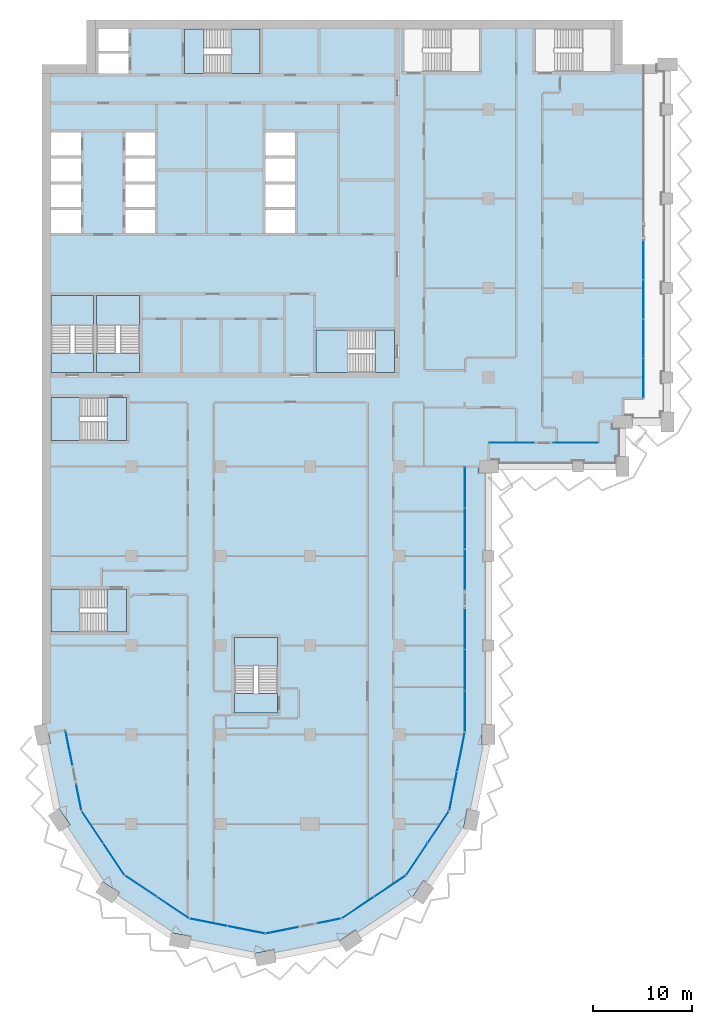
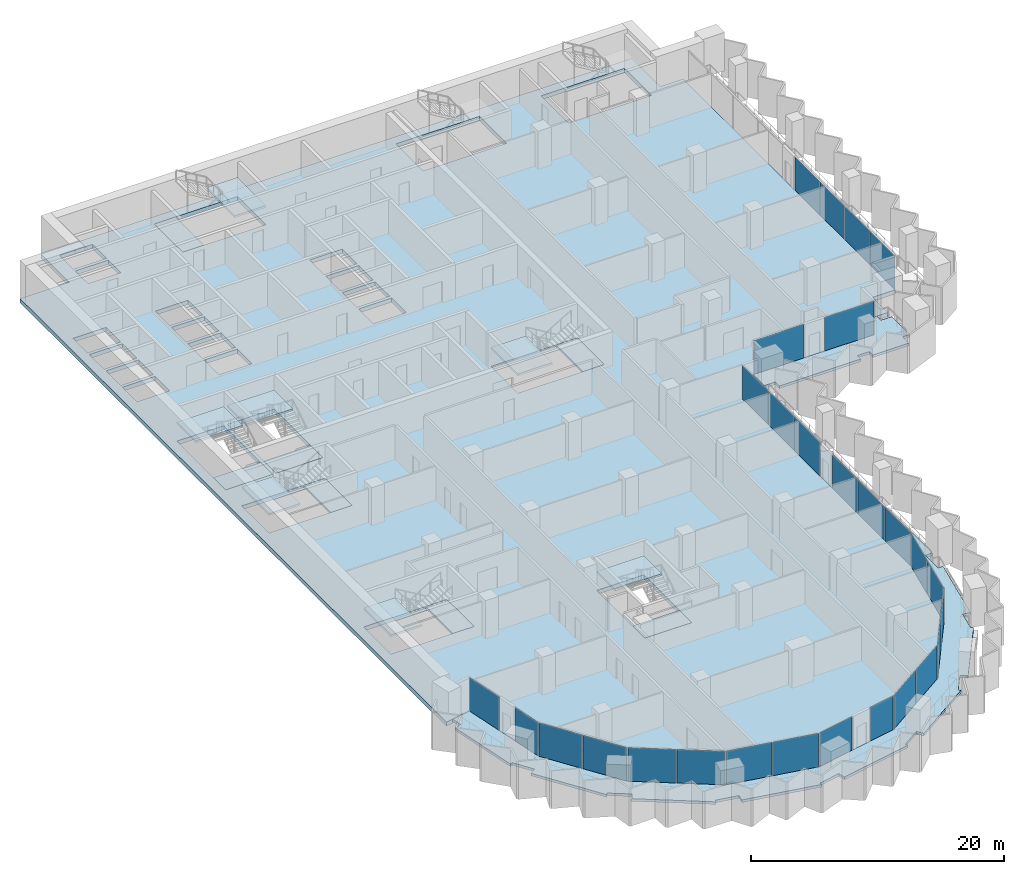
# One storey, part 6 of 22: 28 plates, 17 slabs, 22 elements without a shape of their own.
"""IFC4 building model written with IfcOpenShell, lengths in metres."""

from ifc_helpers import new_model, si_unit, direction, frame, origin, origin_2d, place, context, subcontext, project, spatial, polyline, rectangle, outline, extrude, material, layer, layer_set, type_object, element, aggregate, save


model = new_model("IFC4")

# Units and contexts
model_context = context("Model", 3, precision=1e-05, world=origin(), true_north=direction((0.0, 1.0)))
body_context = subcontext(model_context, "Body", "Model", "MODEL_VIEW")
ifc_project = project(units=[si_unit("LENGTHUNIT", "METRE"), si_unit("AREAUNIT", "SQUARE_METRE"), si_unit("VOLUMEUNIT", "CUBIC_METRE"), si_unit("PLANEANGLEUNIT", "RADIAN"), si_unit("MASSUNIT", "GRAM", prefix="KILO")], contexts=[model_context])

# Site, building, storey
site_placement = place(None, origin())
site = spatial("IfcSite", under=ifc_project, at=site_placement, CompositionType="ELEMENT")
building_placement = place(site_placement, origin())
building = spatial("IfcBuilding", under=site, at=building_placement, Name="Hunhe Ridgeline Campus", CompositionType="ELEMENT")
storey_placement = place(building_placement, frame((0.0, 0.0, 141.199951171875)))
storey = spatial("IfcBuildingStorey", under=building, at=storey_placement, Name="L35", CompositionType="ELEMENT", Elevation=141.199951171875)

# Curtain wall, plate
ifc_material_1 = material(Name="Aluminium 6063", Category="aluminium")
curtain_wall_type_1 = type_object("IfcCurtainWallType", Name="Curtain wall CW-5", PredefinedType="NOTDEFINED", material=ifc_material_1)
curtain_wall_1_placement = place(storey_placement, origin())
curtain_wall_1 = element("IfcCurtainWall", 1, at=curtain_wall_1_placement, inside=storey, type_object=curtain_wall_type_1, Name="Curtain wall 01", PredefinedType="NOTDEFINED")
ifc_material_2 = material(Name="Low-e laminated glass", Category="glass")
ifc_layer_1 = layer(ifc_material_2, 0.028076171875)
ifc_layer_set_1 = layer_set([ifc_layer_1], Name="Curtain wall glass panel 28 low-e laminated")
plate_type = type_object("IfcPlateType", Name="Curtain wall glass panel 28 low-e laminated", PredefinedType="CURTAIN_PANEL", material=ifc_layer_set_1)
plate_1_placement = place(storey_placement, frame((2.7158203125, 25.65380859375, 0.0), z_axis=(0.0, 0.0, 1.0), x_axis=(0.195095326561, -0.980784284924, 0.0)))
plate_1 = element("IfcPlate", 2, at=plate_1_placement, type_object=plate_type, Name="CW-5 panel 1", PredefinedType="CURTAIN_PANEL", context=body_context, shape_type="SweptSolid", body=[
    extrude(rectangle(XDim=3.560791015625, YDim=0.028076171875, at=origin_2d()), origin(), (0.0, 0.0, 1.0), 3.22998046875),
])
aggregate(curtain_wall_1, [plate_1])

curtain_wall_2_placement = place(storey_placement, origin())
curtain_wall_2 = element("IfcCurtainWall", 3, at=curtain_wall_2_placement, inside=storey, type_object=curtain_wall_type_1, Name="Curtain wall 02", PredefinedType="NOTDEFINED")
plate_2_placement = place(storey_placement, frame((3.701171875, 20.699951171875, 0.0), z_axis=(0.0, 0.0, 1.0), x_axis=(0.195095265587, -0.980784297053, 0.0)))
plate_2 = element("IfcPlate", 4, at=plate_2_placement, type_object=plate_type, Name="CW-5 panel 1", PredefinedType="CURTAIN_PANEL", context=body_context, shape_type="SweptSolid", body=[
    extrude(rectangle(XDim=2.660888671875, YDim=0.028076171875, at=origin_2d()), origin(), (0.0, 0.0, 1.0), 3.22998046875),
])
aggregate(curtain_wall_2, [plate_2])

# Curtain wall, plates
curtain_wall_3_placement = place(storey_placement, origin())
curtain_wall_3 = element("IfcCurtainWall", 5, at=curtain_wall_3_placement, inside=storey, type_object=curtain_wall_type_1, Name="Curtain wall 03", PredefinedType="NOTDEFINED")
plate_3_placement = place(storey_placement, frame((5.07080078125, 17.685546875, 0.0), z_axis=(0.0, 0.0, 1.0), x_axis=(0.555570274596, -0.831469584522, 0.0)))
plate_3 = element("IfcPlate", 6, at=plate_3_placement, type_object=plate_type, Name="CW-5 panel 1", PredefinedType="CURTAIN_PANEL", context=body_context, shape_type="SweptSolid", body=[
    extrude(rectangle(XDim=3.806884765625, YDim=0.028076171875, at=origin_2d()), origin(), (0.0, 0.0, 1.0), 3.22998046875),
])
plate_4_placement = place(storey_placement, frame((7.224609375, 14.4619140625, 0.0), z_axis=(0.0, 0.0, 1.0), x_axis=(0.555570274596, -0.831469584522, 0.0)))
plate_4 = element("IfcPlate", 7, at=plate_4_placement, type_object=plate_type, Name="CW-5 panel 2", PredefinedType="CURTAIN_PANEL", context=body_context, shape_type="SweptSolid", body=[
    extrude(rectangle(XDim=3.806884765625, YDim=0.028076171875, at=origin_2d()), origin(), (0.0, 0.0, 1.0), 3.22998046875),
])
aggregate(curtain_wall_3, [plate_3, plate_4])

curtain_wall_4_placement = place(storey_placement, origin())
curtain_wall_4 = element("IfcCurtainWall", 8, at=curtain_wall_4_placement, inside=storey, type_object=curtain_wall_type_1, Name="Curtain wall 04", PredefinedType="NOTDEFINED")
plate_5_placement = place(storey_placement, frame((9.9619140625, 11.724609375, 0.0), z_axis=(0.0, 0.0, 1.0), x_axis=(0.831469584522, -0.555570274596, 0.0)))
plate_5 = element("IfcPlate", 9, at=plate_5_placement, type_object=plate_type, Name="CW-5 panel 1", PredefinedType="CURTAIN_PANEL", context=body_context, shape_type="SweptSolid", body=[
    extrude(rectangle(XDim=3.806884765625, YDim=0.028076171875, at=origin_2d()), origin(), (0.0, 0.0, 1.0), 3.22998046875),
])
plate_6_placement = place(storey_placement, frame((13.185546875, 9.57080078125, 0.0), z_axis=(0.0, 0.0, 1.0), x_axis=(0.831469584522, -0.555570274596, 0.0)))
plate_6 = element("IfcPlate", 10, at=plate_6_placement, type_object=plate_type, Name="CW-5 panel 2", PredefinedType="CURTAIN_PANEL", context=body_context, shape_type="SweptSolid", body=[
    extrude(rectangle(XDim=3.806884765625, YDim=0.028076171875, at=origin_2d()), origin(), (0.0, 0.0, 1.0), 3.22998046875),
])
aggregate(curtain_wall_4, [plate_5, plate_6])

curtain_wall_5_placement = place(storey_placement, origin())
curtain_wall_5 = element("IfcCurtainWall", 11, at=curtain_wall_5_placement, inside=storey, type_object=curtain_wall_type_1, Name="Curtain wall 05", PredefinedType="NOTDEFINED")
plate_7_placement = place(storey_placement, frame((16.761962890625, 8.08935546875, 0.0), z_axis=(0.0, 0.0, 1.0), x_axis=(0.980785275326, -0.195090347539, 0.0)))
plate_7 = element("IfcPlate", 12, at=plate_7_placement, type_object=plate_type, Name="CW-5 panel 1", PredefinedType="CURTAIN_PANEL", context=body_context, shape_type="SweptSolid", body=[
    extrude(rectangle(XDim=3.806884765625, YDim=0.028076171875, at=origin_2d()), origin(), (0.0, 0.0, 1.0), 3.22998046875),
])
plate_8_placement = place(storey_placement, frame((20.564453125, 7.3330078125, 0.0), z_axis=(0.0, 0.0, 1.0), x_axis=(0.980785275326, -0.195090347539, 0.0)))
plate_8 = element("IfcPlate", 13, at=plate_8_placement, type_object=plate_type, Name="CW-5 panel 2", PredefinedType="CURTAIN_PANEL", context=body_context, shape_type="SweptSolid", body=[
    extrude(rectangle(XDim=3.806884765625, YDim=0.028076171875, at=origin_2d()), origin(), (0.0, 0.0, 1.0), 3.22998046875),
])
aggregate(curtain_wall_5, [plate_7, plate_8])

# Curtain wall, plate
curtain_wall_6_placement = place(storey_placement, origin())
curtain_wall_6 = element("IfcCurtainWall", 14, at=curtain_wall_6_placement, inside=storey, type_object=curtain_wall_type_1, Name="Curtain wall 06", PredefinedType="NOTDEFINED")
plate_9_placement = place(storey_placement, frame((24.19775390625, 7.28564453125, 0.0), z_axis=(0.0, 0.0, 1.0), x_axis=(0.980785270791, 0.19509037034, 0.0)))
plate_9 = element("IfcPlate", 15, at=plate_9_placement, type_object=plate_type, Name="CW-5 panel 1", PredefinedType="CURTAIN_PANEL", context=body_context, shape_type="SweptSolid", body=[
    extrude(rectangle(XDim=3.322021484375, YDim=0.028076171875, at=origin_2d()), origin(), (0.0, 0.0, 1.0), 3.22998046875),
])
aggregate(curtain_wall_6, [plate_9])

curtain_wall_7_placement = place(storey_placement, origin())
curtain_wall_7 = element("IfcCurtainWall", 16, at=curtain_wall_7_placement, inside=storey, type_object=curtain_wall_type_1, Name="Curtain wall 07", PredefinedType="NOTDEFINED")
plate_10_placement = place(storey_placement, frame((28.917236328125, 8.224609375, 0.0), z_axis=(0.0, 0.0, 1.0), x_axis=(0.980785242091, 0.195090514627, 0.0)))
plate_10 = element("IfcPlate", 17, at=plate_10_placement, type_object=plate_type, Name="CW-5 panel 1", PredefinedType="CURTAIN_PANEL", context=body_context, shape_type="SweptSolid", body=[
    extrude(rectangle(XDim=2.421875, YDim=0.028076171875, at=origin_2d()), origin(), (0.0, 0.0, 1.0), 3.22998046875),
])
aggregate(curtain_wall_7, [plate_10])

# Curtain wall, plates
curtain_wall_8_placement = place(storey_placement, origin())
curtain_wall_8 = element("IfcCurtainWall", 18, at=curtain_wall_8_placement, inside=storey, type_object=curtain_wall_type_1, Name="Curtain wall 08", PredefinedType="NOTDEFINED")
plate_11_placement = place(storey_placement, frame((31.814453125, 9.57080078125, 0.0), z_axis=(0.0, 0.0, 1.0), x_axis=(0.831469584522, 0.555570274596, 0.0)))
plate_11 = element("IfcPlate", 19, at=plate_11_placement, type_object=plate_type, Name="CW-5 panel 1", PredefinedType="CURTAIN_PANEL", context=body_context, shape_type="SweptSolid", body=[
    extrude(rectangle(XDim=3.806884765625, YDim=0.028076171875, at=origin_2d()), origin(), (0.0, 0.0, 1.0), 3.22998046875),
])
plate_12_placement = place(storey_placement, frame((35.0380859375, 11.724609375, 0.0), z_axis=(0.0, 0.0, 1.0), x_axis=(0.831469584522, 0.555570274596, 0.0)))
plate_12 = element("IfcPlate", 20, at=plate_12_placement, type_object=plate_type, Name="CW-5 panel 2", PredefinedType="CURTAIN_PANEL", context=body_context, shape_type="SweptSolid", body=[
    extrude(rectangle(XDim=3.806884765625, YDim=0.028076171875, at=origin_2d()), origin(), (0.0, 0.0, 1.0), 3.22998046875),
])
aggregate(curtain_wall_8, [plate_11, plate_12])

curtain_wall_9_placement = place(storey_placement, origin())
curtain_wall_9 = element("IfcCurtainWall", 21, at=curtain_wall_9_placement, inside=storey, type_object=curtain_wall_type_1, Name="Curtain wall 09", PredefinedType="NOTDEFINED")
plate_13_placement = place(storey_placement, frame((37.775390625, 14.4619140625, 0.0), z_axis=(0.0, 0.0, 1.0), x_axis=(0.555570274596, 0.831469584522, 0.0)))
plate_13 = element("IfcPlate", 22, at=plate_13_placement, type_object=plate_type, Name="CW-5 panel 1", PredefinedType="CURTAIN_PANEL", context=body_context, shape_type="SweptSolid", body=[
    extrude(rectangle(XDim=3.806884765625, YDim=0.028076171875, at=origin_2d()), origin(), (0.0, 0.0, 1.0), 3.22998046875),
])
plate_14_placement = place(storey_placement, frame((39.92919921875, 17.685546875, 0.0), z_axis=(0.0, 0.0, 1.0), x_axis=(0.555570274596, 0.831469584522, 0.0)))
plate_14 = element("IfcPlate", 23, at=plate_14_placement, type_object=plate_type, Name="CW-5 panel 2", PredefinedType="CURTAIN_PANEL", context=body_context, shape_type="SweptSolid", body=[
    extrude(rectangle(XDim=3.806884765625, YDim=0.028076171875, at=origin_2d()), origin(), (0.0, 0.0, 1.0), 3.22998046875),
])
aggregate(curtain_wall_9, [plate_13, plate_14])

curtain_wall_10_placement = place(storey_placement, origin())
curtain_wall_10 = element("IfcCurtainWall", 24, at=curtain_wall_10_placement, inside=storey, type_object=curtain_wall_type_1, Name="Curtain wall 10", PredefinedType="NOTDEFINED")
plate_15_placement = place(storey_placement, frame((41.42236328125, 21.321044921875, 0.0), z_axis=(0.0, 0.0, 1.0), x_axis=(0.195090299215, 0.980785284939, 0.0)))
plate_15 = element("IfcPlate", 25, at=plate_15_placement, type_object=plate_type, Name="CW-5 panel 1", PredefinedType="CURTAIN_PANEL", context=body_context, shape_type="SweptSolid", body=[
    extrude(rectangle(XDim=3.927490234375, YDim=0.028076171875, at=origin_2d()), origin(), (0.0, 0.0, 1.0), 3.22998046875),
])
plate_16_placement = place(storey_placement, frame((42.2021484375, 25.24169921875, 0.0), z_axis=(0.0, 0.0, 1.0), x_axis=(0.195090299215, 0.980785284939, 0.0)))
plate_16 = element("IfcPlate", 26, at=plate_16_placement, type_object=plate_type, Name="CW-5 panel 2", PredefinedType="CURTAIN_PANEL", context=body_context, shape_type="SweptSolid", body=[
    extrude(rectangle(XDim=3.927490234375, YDim=0.028076171875, at=origin_2d()), origin(), (0.0, 0.0, 1.0), 3.22998046875),
])
aggregate(curtain_wall_10, [plate_15, plate_16])

curtain_wall_type_2 = type_object("IfcCurtainWallType", Name="Curtain wall CW-1", PredefinedType="NOTDEFINED", material=ifc_material_1)
curtain_wall_11_placement = place(storey_placement, origin())
curtain_wall_11 = element("IfcCurtainWall", 27, at=curtain_wall_11_placement, inside=storey, type_object=curtain_wall_type_2, Name="Curtain wall 11", PredefinedType="NOTDEFINED")
plate_17_placement = place(storey_placement, frame((42.59912109375, 29.331787109375, 0.0), z_axis=(0.0, 0.0, 1.0), x_axis=(4.406345e-06, 0.99999999999, 0.0)))
plate_17 = element("IfcPlate", 28, at=plate_17_placement, type_object=plate_type, Name="CW-1 panel 1", PredefinedType="CURTAIN_PANEL", context=body_context, shape_type="SweptSolid", body=[
    extrude(rectangle(XDim=4.070556640625, YDim=0.028076171875, at=origin_2d()), origin(), (0.0, 0.0, 1.0), 3.239990234375),
])
plate_18_placement = place(storey_placement, frame((42.59912109375, 33.4775390625, 0.0), z_axis=(0.0, 0.0, 1.0), x_axis=(4.406345e-06, 0.99999999999, 0.0)))
plate_18 = element("IfcPlate", 29, at=plate_18_placement, type_object=plate_type, Name="CW-1 panel 2", PredefinedType="CURTAIN_PANEL", context=body_context, shape_type="SweptSolid", body=[
    extrude(rectangle(XDim=4.1005859375, YDim=0.028076171875, at=origin_2d()), origin(), (0.0, 0.0, 1.0), 3.239990234375),
])
plate_19_placement = place(storey_placement, frame((42.59912109375, 37.623046875, 0.0), z_axis=(0.0, 0.0, 1.0), x_axis=(4.406345e-06, 0.99999999999, 0.0)))
plate_19 = element("IfcPlate", 30, at=plate_19_placement, type_object=plate_type, Name="CW-1 panel 3", PredefinedType="CURTAIN_PANEL", context=body_context, shape_type="SweptSolid", body=[
    extrude(rectangle(XDim=4.070556640625, YDim=0.028076171875, at=origin_2d()), origin(), (0.0, 0.0, 1.0), 3.239990234375),
])
aggregate(curtain_wall_11, [plate_17, plate_18, plate_19])

curtain_wall_12_placement = place(storey_placement, origin())
curtain_wall_12 = element("IfcCurtainWall", 31, at=curtain_wall_12_placement, inside=storey, type_object=curtain_wall_type_2, Name="Curtain wall 12", PredefinedType="NOTDEFINED")
plate_20_placement = place(storey_placement, frame((42.59912109375, 43.61376953125, 0.0), z_axis=(0.0, 0.0, 1.0), x_axis=(4.406345e-06, 0.99999999999, 0.0)))
plate_20 = element("IfcPlate", 32, at=plate_20_placement, type_object=plate_type, Name="CW-1 panel 1", PredefinedType="CURTAIN_PANEL", context=body_context, shape_type="SweptSolid", body=[
    extrude(rectangle(XDim=4.070556640625, YDim=0.028076171875, at=origin_2d()), origin(), (0.0, 0.0, 1.0), 3.239990234375),
])
plate_21_placement = place(storey_placement, frame((42.59912109375, 47.759521484375, 0.0), z_axis=(0.0, 0.0, 1.0), x_axis=(4.406345e-06, 0.99999999999, 0.0)))
plate_21 = element("IfcPlate", 33, at=plate_21_placement, type_object=plate_type, Name="CW-1 panel 2", PredefinedType="CURTAIN_PANEL", context=body_context, shape_type="SweptSolid", body=[
    extrude(rectangle(XDim=4.1005859375, YDim=0.028076171875, at=origin_2d()), origin(), (0.0, 0.0, 1.0), 3.239990234375),
])
plate_22_placement = place(storey_placement, frame((42.59912109375, 51.905029296875, 0.0), z_axis=(0.0, 0.0, 1.0), x_axis=(4.406345e-06, 0.99999999999, 0.0)))
plate_22 = element("IfcPlate", 34, at=plate_22_placement, type_object=plate_type, Name="CW-1 panel 3", PredefinedType="CURTAIN_PANEL", context=body_context, shape_type="SweptSolid", body=[
    extrude(rectangle(XDim=4.070556640625, YDim=0.028076171875, at=origin_2d()), origin(), (0.0, 0.0, 1.0), 3.239990234375),
])
aggregate(curtain_wall_12, [plate_20, plate_21, plate_22])

# Curtain wall, plate
curtain_wall_13_placement = place(storey_placement, origin())
curtain_wall_13 = element("IfcCurtainWall", 35, at=curtain_wall_13_placement, inside=storey, type_object=curtain_wall_type_2, Name="Curtain wall 13", PredefinedType="NOTDEFINED")
plate_23_placement = place(storey_placement, frame((47.32470703125, 56.40087890625, 0.0), z_axis=(0.0, 0.0, 1.0), x_axis=(0.999999999999, 1.72058e-06, 0.0)))
plate_23 = element("IfcPlate", 36, at=plate_23_placement, type_object=plate_type, Name="CW-1 panel 1", PredefinedType="CURTAIN_PANEL", context=body_context, shape_type="SweptSolid", body=[
    extrude(rectangle(XDim=4.529541015625, YDim=0.028076171875, at=origin_2d()), origin(), (0.0, 0.0, 1.0), 3.239990234375),
])
aggregate(curtain_wall_13, [plate_23])

curtain_wall_14_placement = place(storey_placement, origin())
curtain_wall_14 = element("IfcCurtainWall", 37, at=curtain_wall_14_placement, inside=storey, type_object=curtain_wall_type_2, Name="Curtain wall 14", PredefinedType="NOTDEFINED")
plate_24_placement = place(storey_placement, frame((53.774169921875, 56.40087890625, 0.0), z_axis=(0.0, 0.0, 1.0), x_axis=(0.999999999999, 1.72058e-06, 0.0)))
plate_24 = element("IfcPlate", 38, at=plate_24_placement, type_object=plate_type, Name="CW-1 panel 1", PredefinedType="CURTAIN_PANEL", context=body_context, shape_type="SweptSolid", body=[
    extrude(rectangle(XDim=4.529541015625, YDim=0.028076171875, at=origin_2d()), origin(), (0.0, 0.0, 1.0), 3.239990234375),
])
aggregate(curtain_wall_14, [plate_24])

# Curtain wall, plates
curtain_wall_15_placement = place(storey_placement, origin())
curtain_wall_15 = element("IfcCurtainWall", 39, at=curtain_wall_15_placement, inside=storey, type_object=curtain_wall_type_2, Name="Curtain wall 15", PredefinedType="NOTDEFINED")
plate_25_placement = place(storey_placement, frame((60.59912109375, 62.9033203125, 0.0), z_axis=(0.0, 0.0, 1.0), x_axis=(0.0, 1.0, 0.0)))
plate_25 = element("IfcPlate", 40, at=plate_25_placement, type_object=plate_type, Name="CW-1 panel 1", PredefinedType="CURTAIN_PANEL", context=body_context, shape_type="SweptSolid", body=[
    extrude(rectangle(XDim=3.884765625, YDim=0.028076171875, at=origin_2d()), origin(), (0.0, 0.0, 1.0), 3.239990234375),
])
plate_26_placement = place(storey_placement, frame((60.59912109375, 66.86328125, 0.0), z_axis=(0.0, 0.0, 1.0), x_axis=(0.0, 1.0, 0.0)))
plate_26 = element("IfcPlate", 41, at=plate_26_placement, type_object=plate_type, Name="CW-1 panel 2", PredefinedType="CURTAIN_PANEL", context=body_context, shape_type="SweptSolid", body=[
    extrude(rectangle(XDim=3.914794921875, YDim=0.028076171875, at=origin_2d()), origin(), (0.0, 0.0, 1.0), 3.239990234375),
])
plate_27_placement = place(storey_placement, frame((60.59912109375, 70.838134765625, 0.0), z_axis=(0.0, 0.0, 1.0), x_axis=(0.0, 1.0, 0.0)))
plate_27 = element("IfcPlate", 42, at=plate_27_placement, type_object=plate_type, Name="CW-1 panel 3", PredefinedType="CURTAIN_PANEL", context=body_context, shape_type="SweptSolid", body=[
    extrude(rectangle(XDim=3.914794921875, YDim=0.028076171875, at=origin_2d()), origin(), (0.0, 0.0, 1.0), 3.239990234375),
])
plate_28_placement = place(storey_placement, frame((60.59912109375, 74.798095703125, 0.0), z_axis=(0.0, 0.0, 1.0), x_axis=(0.0, 1.0, 0.0)))
plate_28 = element("IfcPlate", 43, at=plate_28_placement, type_object=plate_type, Name="CW-1 panel 4", PredefinedType="CURTAIN_PANEL", context=body_context, shape_type="SweptSolid", body=[
    extrude(rectangle(XDim=3.884765625, YDim=0.028076171875, at=origin_2d()), origin(), (0.0, 0.0, 1.0), 3.239990234375),
])
aggregate(curtain_wall_15, [plate_25, plate_26, plate_27, plate_28])

# Slabs
ifc_material_3 = material(Name="Concrete C40", Category="concrete")
ifc_layer_2 = layer(ifc_material_3, 0.39990234375)
ifc_layer_set_2 = layer_set([ifc_layer_2], Name="Floor slab 400 Concrete C40")
slab_type_1 = type_object("IfcSlabType", Name="Floor slab 400 Concrete C40", PredefinedType="FLOOR", material=ifc_layer_set_2)
slab_1_placement = place(storey_placement, frame((0.0, 0.0, -0.39990234375)))
element("IfcSlab", 44, at=slab_1_placement, inside=storey, type_object=slab_type_1, Name="Floor slab L35 1", PredefinedType="FLOOR", context=body_context, shape_type="SweptSolid", body=[
    extrude(outline(polyline([(2.354736328125, 27.46875), (3.974365234375, 19.326416015625), (8.321044921875, 12.821044921875), (14.826416015625, 8.474365234375), (22.5, 6.947998046875), (30.173583984375, 8.474365234375), (36.678955078125, 12.821044921875), (41.025634765625, 19.326416015625), (42.59912109375, 27.236572265625), (42.59912109375, 54.00048828125), (44.9990234375, 54.0009765625), (44.999755859375, 56.40087890625), (56.09912109375, 56.40087890625), (56.099365234375, 58.500732421875), (58.4990234375, 58.5009765625), (58.499267578125, 60.900634765625), (60.59912109375, 60.90087890625), (60.59912109375, 94.5), (58.5, 94.5), (58.5, 99.0), (4.5, 99.0), (4.5, 94.5), (0.0, 94.5), (0.0, 27.0009765625), (2.354736328125, 27.46875)]), holes=[polyline([(49.699951171875, 93.800048828125), (57.300048828125, 93.800048828125), (57.300048828125, 98.10009765625), (49.699951171875, 98.10009765625), (49.699951171875, 93.800048828125)]), polyline([(44.050048828125, 93.800048828125), (44.050048828125, 98.10009765625), (36.449951171875, 98.10009765625), (36.449951171875, 93.800048828125), (44.050048828125, 93.800048828125)]), polyline([(35.5, 67.75), (27.60009765625, 67.75), (27.60009765625, 63.5), (35.5, 63.5), (35.5, 67.75)]), polyline([(25.5, 82.75), (25.5, 85.050048828125), (22.5, 85.050048828125), (22.5, 82.75), (25.5, 82.75)]), polyline([(25.5, 82.449951171875), (22.5, 82.449951171875), (22.5, 80.14990234375), (25.5, 80.14990234375), (25.5, 82.449951171875)]), polyline([(22.5, 85.35009765625), (25.5, 85.35009765625), (25.5, 87.64990234375), (22.5, 87.64990234375), (22.5, 85.35009765625)]), polyline([(22.5, 79.85009765625), (22.5, 77.550048828125), (25.5, 77.550048828125), (25.5, 79.85009765625), (22.5, 79.85009765625)]), polyline([(19.39990234375, 29.199951171875), (23.699951171875, 29.199951171875), (23.699951171875, 36.800048828125), (19.39990234375, 36.800048828125), (19.39990234375, 29.199951171875)]), polyline([(21.949951171875, 93.60009765625), (21.949951171875, 98.10009765625), (14.35009765625, 98.10009765625), (14.35009765625, 93.60009765625), (21.949951171875, 93.60009765625)]), polyline([(8.39990234375, 79.85009765625), (8.39990234375, 77.550048828125), (11.39990234375, 77.550048828125), (11.39990234375, 79.85009765625), (8.39990234375, 79.85009765625)]), polyline([(8.39990234375, 85.35009765625), (11.39990234375, 85.35009765625), (11.39990234375, 87.64990234375), (8.39990234375, 87.64990234375), (8.39990234375, 85.35009765625)]), polyline([(11.39990234375, 82.449951171875), (8.39990234375, 82.449951171875), (8.39990234375, 80.14990234375), (11.39990234375, 80.14990234375), (11.39990234375, 82.449951171875)]), polyline([(11.39990234375, 82.75), (11.39990234375, 85.050048828125), (8.39990234375, 85.050048828125), (8.39990234375, 82.75), (11.39990234375, 82.75)]), polyline([(5.5, 71.25), (5.5, 63.5), (9.800048828125, 63.5), (9.800048828125, 71.25), (5.5, 71.25)]), polyline([(8.699951171875, 98.10009765625), (5.699951171875, 98.10009765625), (5.699951171875, 95.89990234375), (8.699951171875, 95.89990234375), (8.699951171875, 98.10009765625)]), polyline([(5.699951171875, 95.60009765625), (5.699951171875, 93.60009765625), (8.699951171875, 93.60009765625), (8.699951171875, 95.60009765625), (5.699951171875, 95.60009765625)]), polyline([(0.89990234375, 60.949951171875), (0.89990234375, 56.64990234375), (8.5, 56.64990234375), (8.5, 60.949951171875), (0.89990234375, 60.949951171875)]), polyline([(0.89990234375, 37.35009765625), (8.5, 37.35009765625), (8.5, 41.64990234375), (0.89990234375, 41.64990234375), (0.89990234375, 37.35009765625)]), polyline([(0.89990234375, 63.5), (5.199951171875, 63.5), (5.199951171875, 71.25), (0.89990234375, 71.25), (0.89990234375, 63.5)]), polyline([(3.89990234375, 82.75), (3.89990234375, 85.050048828125), (0.89990234375, 85.050048828125), (0.89990234375, 82.75), (3.89990234375, 82.75)]), polyline([(3.89990234375, 82.449951171875), (0.89990234375, 82.449951171875), (0.89990234375, 80.14990234375), (3.89990234375, 80.14990234375), (3.89990234375, 82.449951171875)]), polyline([(0.89990234375, 85.35009765625), (3.89990234375, 85.35009765625), (3.89990234375, 87.64990234375), (0.89990234375, 87.64990234375), (0.89990234375, 85.35009765625)]), polyline([(0.89990234375, 79.85009765625), (0.89990234375, 77.550048828125), (3.89990234375, 77.550048828125), (3.89990234375, 79.85009765625), (0.89990234375, 79.85009765625)])]), origin(), (0.0, 0.0, 1.0), 0.39990234375),
])
ifc_layer_3 = layer(ifc_material_3, 0.25)
ifc_layer_set_3 = layer_set([ifc_layer_3], Name="Loggia slab 250 Concrete C40")
slab_type_2 = type_object("IfcSlabType", Name="Loggia slab 250 Concrete C40", PredefinedType="FLOOR", material=ifc_layer_set_3)
slab_2_placement = place(storey_placement, frame((0.0, 0.0, -0.25)))
element("IfcSlab", 45, at=slab_2_placement, inside=storey, type_object=slab_type_2, Name="Loggia slab 1", PredefinedType="FLOOR", context=body_context, shape_type="SweptSolid", body=[
    extrude(outline(polyline([(30.173828125, 8.473388671875), (22.5, 6.947021484375), (14.826171875, 8.473388671875), (8.3203125, 12.8203125), (3.973388671875, 19.326171875), (2.35400390625, 27.46826171875), (0.637451171875, 27.126708984375), (0.83251953125, 26.14599609375), (0.195068359375, 26.019287109375), (1.50146484375, 19.451171875), (1.697509765625, 19.582275390625), (2.808837890625, 17.919189453125), (2.268310546875, 17.55810546875), (5.98876953125, 11.989990234375), (6.11962890625, 12.18603515625), (7.78271484375, 11.074951171875), (7.421630859375, 10.534423828125), (12.98974609375, 6.81396484375), (13.03564453125, 7.04541015625), (14.997314453125, 6.655029296875), (14.870361328125, 6.017578125), (21.4384765625, 4.711181640625), (21.392333984375, 4.9423828125), (23.35400390625, 5.33251953125), (23.480712890625, 4.695068359375), (30.048828125, 6.00146484375), (29.917724609375, 6.197509765625), (31.580810546875, 7.308837890625), (31.94189453125, 6.768310546875), (37.510009765625, 10.48876953125), (37.31396484375, 10.61962890625), (38.425048828125, 12.28271484375), (38.965576171875, 11.921630859375), (42.68603515625, 17.48974609375), (42.45458984375, 17.53564453125), (42.844970703125, 19.497314453125), (43.482421875, 19.370361328125), (44.801025390625, 26.0), (44.35009765625, 26.0), (44.35009765625, 28.0), (45.0, 28.0), (45.0, 35.449951171875), (44.449951171875, 35.449951171875), (44.449951171875, 36.550048828125), (45.0, 36.550048828125), (45.0, 44.449951171875), (44.449951171875, 44.449951171875), (44.449951171875, 45.550048828125), (45.0, 45.550048828125), (45.0, 53.35009765625), (44.0, 53.35009765625), (44.0, 54.0), (42.60009765625, 54.0), (42.60009765625, 27.236328125), (41.026611328125, 19.326171875), (36.6796875, 12.8203125), (30.173828125, 8.473388671875)])), origin(), (0.0, 0.0, 1.0), 0.25),
])
slab_3_placement = place(storey_placement, frame((0.0, 0.0, -0.25)))
element("IfcSlab", 46, at=slab_3_placement, inside=storey, type_object=slab_type_2, Name="Loggia slab 2", PredefinedType="FLOOR", context=body_context, shape_type="SweptSolid", body=[
    extrude(outline(polyline([(45.0, 54.64990234375), (46.0, 54.64990234375), (46.0, 54.0), (53.449951171875, 54.0), (53.449951171875, 54.550048828125), (54.550048828125, 54.550048828125), (54.550048828125, 54.0), (57.85009765625, 54.0), (57.85009765625, 55.0), (58.5, 55.0), (58.5, 57.85009765625), (57.5, 57.85009765625), (57.5, 58.5), (56.10009765625, 58.5), (56.10009765625, 56.39990234375), (45.0, 56.39990234375), (45.0, 54.64990234375)])), origin(), (0.0, 0.0, 1.0), 0.25),
])

# Stair, slab
stair_type = type_object("IfcStairType", Name="Reinforced concrete dog-leg stair 1950 Concrete C40", PredefinedType="HALF_TURN_STAIR", material=ifc_material_3)
stair_1_placement = place(storey_placement, origin())
stair_1 = element("IfcStair", 47, at=stair_1_placement, inside=storey, type_object=stair_type, Name="L35 S1", PredefinedType="HALF_TURN_STAIR")
ifc_layer_4 = layer(ifc_material_3, 0.199951171875)
ifc_layer_set_4 = layer_set([ifc_layer_4], Name="Reinforced concrete stair landing 200 Concrete C40")
slab_type_3 = type_object("IfcSlabType", Name="Reinforced concrete stair landing 200 Concrete C40", PredefinedType="LANDING", material=ifc_layer_set_4)
slab_4_placement = place(storey_placement, frame((0.0, 0.0, 1.650146484375)))
slab_4 = element("IfcSlab", 48, at=slab_4_placement, type_object=slab_type_3, Name="ST1 landing 1", PredefinedType="LANDING", context=body_context, shape_type="SweptSolid", body=[
    extrude(outline(polyline([(19.10009765625, 93.60009765625), (21.949951171875, 93.60009765625), (21.949951171875, 98.10009765625), (19.10009765625, 98.10009765625), (19.10009765625, 93.60009765625)])), origin(), (0.0, 0.0, 1.0), 0.199951171875),
])
aggregate(stair_1, [slab_4])

# Slab
slab_5_placement = place(storey_placement, frame((0.0, 0.0, -0.199951171875)))
element("IfcSlab", 49, at=slab_5_placement, inside=storey, type_object=slab_type_3, Name="L35 stair S1 floor landing", PredefinedType="LANDING", context=body_context, shape_type="SweptSolid", body=[
    extrude(outline(polyline([(14.35009765625, 93.60009765625), (16.300048828125, 93.60009765625), (16.300048828125, 98.10009765625), (14.35009765625, 98.10009765625), (14.35009765625, 93.60009765625)])), origin(), (0.0, 0.0, 1.0), 0.199951171875),
])

# Stair, slab
stair_2_placement = place(storey_placement, origin())
stair_2 = element("IfcStair", 50, at=stair_2_placement, inside=storey, type_object=stair_type, Name="L35 S2", PredefinedType="HALF_TURN_STAIR")
slab_6_placement = place(storey_placement, frame((0.0, 0.0, 1.650146484375)))
slab_6 = element("IfcSlab", 51, at=slab_6_placement, type_object=slab_type_3, Name="ST2 landing 1", PredefinedType="LANDING", context=body_context, shape_type="SweptSolid", body=[
    extrude(outline(polyline([(30.75, 67.75), (27.60009765625, 67.75), (27.60009765625, 63.5), (30.75, 63.5), (30.75, 67.75)])), origin(), (0.0, 0.0, 1.0), 0.199951171875),
])
aggregate(stair_2, [slab_6])

# Slab
slab_7_placement = place(storey_placement, frame((0.0, 0.0, -0.199951171875)))
element("IfcSlab", 52, at=slab_7_placement, inside=storey, type_object=slab_type_3, Name="L35 stair S2 floor landing", PredefinedType="LANDING", context=body_context, shape_type="SweptSolid", body=[
    extrude(outline(polyline([(35.5, 67.75), (33.550048828125, 67.75), (33.550048828125, 63.5), (35.5, 63.5), (35.5, 67.75)])), origin(), (0.0, 0.0, 1.0), 0.199951171875),
])

# Stair, slab
stair_3_placement = place(storey_placement, origin())
stair_3 = element("IfcStair", 53, at=stair_3_placement, inside=storey, type_object=stair_type, Name="L35 S3", PredefinedType="HALF_TURN_STAIR")
slab_8_placement = place(storey_placement, frame((0.0, 0.0, 1.650146484375)))
slab_8 = element("IfcSlab", 54, at=slab_8_placement, type_object=slab_type_3, Name="ST3 landing 1", PredefinedType="LANDING", context=body_context, shape_type="SweptSolid", body=[
    extrude(outline(polyline([(5.199951171875, 68.25), (5.199951171875, 71.25), (0.89990234375, 71.25), (0.89990234375, 68.25), (5.199951171875, 68.25)])), origin(), (0.0, 0.0, 1.0), 0.199951171875),
])
aggregate(stair_3, [slab_8])

# Slab
slab_9_placement = place(storey_placement, frame((0.0, 0.0, -0.199951171875)))
element("IfcSlab", 55, at=slab_9_placement, inside=storey, type_object=slab_type_3, Name="L35 stair S3 floor landing", PredefinedType="LANDING", context=body_context, shape_type="SweptSolid", body=[
    extrude(outline(polyline([(5.199951171875, 63.5), (5.199951171875, 65.449951171875), (0.89990234375, 65.449951171875), (0.89990234375, 63.5), (5.199951171875, 63.5)])), origin(), (0.0, 0.0, 1.0), 0.199951171875),
])

# Stair, slab
stair_4_placement = place(storey_placement, origin())
stair_4 = element("IfcStair", 56, at=stair_4_placement, inside=storey, type_object=stair_type, Name="L35 S4", PredefinedType="HALF_TURN_STAIR")
slab_10_placement = place(storey_placement, frame((0.0, 0.0, 1.650146484375)))
slab_10 = element("IfcSlab", 57, at=slab_10_placement, type_object=slab_type_3, Name="ST4 landing 1", PredefinedType="LANDING", context=body_context, shape_type="SweptSolid", body=[
    extrude(outline(polyline([(9.800048828125, 68.25), (9.800048828125, 71.25), (5.5, 71.25), (5.5, 68.25), (9.800048828125, 68.25)])), origin(), (0.0, 0.0, 1.0), 0.199951171875),
])
aggregate(stair_4, [slab_10])

# Slab
slab_11_placement = place(storey_placement, frame((0.0, 0.0, -0.199951171875)))
element("IfcSlab", 58, at=slab_11_placement, inside=storey, type_object=slab_type_3, Name="L35 stair S4 floor landing", PredefinedType="LANDING", context=body_context, shape_type="SweptSolid", body=[
    extrude(outline(polyline([(9.800048828125, 63.5), (9.800048828125, 65.449951171875), (5.5, 65.449951171875), (5.5, 63.5), (9.800048828125, 63.5)])), origin(), (0.0, 0.0, 1.0), 0.199951171875),
])

# Stair, slab
stair_5_placement = place(storey_placement, origin())
stair_5 = element("IfcStair", 59, at=stair_5_placement, inside=storey, type_object=stair_type, Name="L35 W3", PredefinedType="HALF_TURN_STAIR")
slab_12_placement = place(storey_placement, frame((0.0, 0.0, 1.650146484375)))
slab_12 = element("IfcSlab", 60, at=slab_12_placement, type_object=slab_type_3, Name="ST9 landing 1", PredefinedType="LANDING", context=body_context, shape_type="SweptSolid", body=[
    extrude(outline(polyline([(23.699951171875, 33.949951171875), (23.699951171875, 36.800048828125), (19.39990234375, 36.800048828125), (19.39990234375, 33.949951171875), (23.699951171875, 33.949951171875)])), origin(), (0.0, 0.0, 1.0), 0.199951171875),
])
aggregate(stair_5, [slab_12])

# Slab
slab_13_placement = place(storey_placement, frame((0.0, 0.0, -0.199951171875)))
element("IfcSlab", 61, at=slab_13_placement, inside=storey, type_object=slab_type_3, Name="L35 stair W3 floor landing", PredefinedType="LANDING", context=body_context, shape_type="SweptSolid", body=[
    extrude(outline(polyline([(23.699951171875, 29.199951171875), (23.699951171875, 31.14990234375), (19.39990234375, 31.14990234375), (19.39990234375, 29.199951171875), (23.699951171875, 29.199951171875)])), origin(), (0.0, 0.0, 1.0), 0.199951171875),
])

# Stair, slab
stair_6_placement = place(storey_placement, origin())
stair_6 = element("IfcStair", 62, at=stair_6_placement, inside=storey, type_object=stair_type, Name="L35 W1", PredefinedType="HALF_TURN_STAIR")
slab_14_placement = place(storey_placement, frame((0.0, 0.0, 1.650146484375)))
slab_14 = element("IfcSlab", 63, at=slab_14_placement, type_object=slab_type_3, Name="ST11 landing 1", PredefinedType="LANDING", context=body_context, shape_type="SweptSolid", body=[
    extrude(outline(polyline([(3.75, 41.64990234375), (0.89990234375, 41.64990234375), (0.89990234375, 37.35009765625), (3.75, 37.35009765625), (3.75, 41.64990234375)])), origin(), (0.0, 0.0, 1.0), 0.199951171875),
])
aggregate(stair_6, [slab_14])

# Slab
slab_15_placement = place(storey_placement, frame((0.0, 0.0, -0.199951171875)))
element("IfcSlab", 64, at=slab_15_placement, inside=storey, type_object=slab_type_3, Name="L35 stair W1 floor landing", PredefinedType="LANDING", context=body_context, shape_type="SweptSolid", body=[
    extrude(outline(polyline([(8.5, 41.64990234375), (6.550048828125, 41.64990234375), (6.550048828125, 37.35009765625), (8.5, 37.35009765625), (8.5, 41.64990234375)])), origin(), (0.0, 0.0, 1.0), 0.199951171875),
])

# Stair, slab
stair_7_placement = place(storey_placement, origin())
stair_7 = element("IfcStair", 65, at=stair_7_placement, inside=storey, type_object=stair_type, Name="L35 W2", PredefinedType="HALF_TURN_STAIR")
slab_16_placement = place(storey_placement, frame((0.0, 0.0, 1.650146484375)))
slab_16 = element("IfcSlab", 66, at=slab_16_placement, type_object=slab_type_3, Name="ST12 landing 1", PredefinedType="LANDING", context=body_context, shape_type="SweptSolid", body=[
    extrude(outline(polyline([(3.75, 60.949951171875), (0.89990234375, 60.949951171875), (0.89990234375, 56.64990234375), (3.75, 56.64990234375), (3.75, 60.949951171875)])), origin(), (0.0, 0.0, 1.0), 0.199951171875),
])
aggregate(stair_7, [slab_16])

# Slab
slab_17_placement = place(storey_placement, frame((0.0, 0.0, -0.199951171875)))
element("IfcSlab", 67, at=slab_17_placement, inside=storey, type_object=slab_type_3, Name="L35 stair W2 floor landing", PredefinedType="LANDING", context=body_context, shape_type="SweptSolid", body=[
    extrude(outline(polyline([(8.5, 60.949951171875), (6.550048828125, 60.949951171875), (6.550048828125, 56.64990234375), (8.5, 56.64990234375), (8.5, 60.949951171875)])), origin(), (0.0, 0.0, 1.0), 0.199951171875),
])

save(model, "model.ifc")
